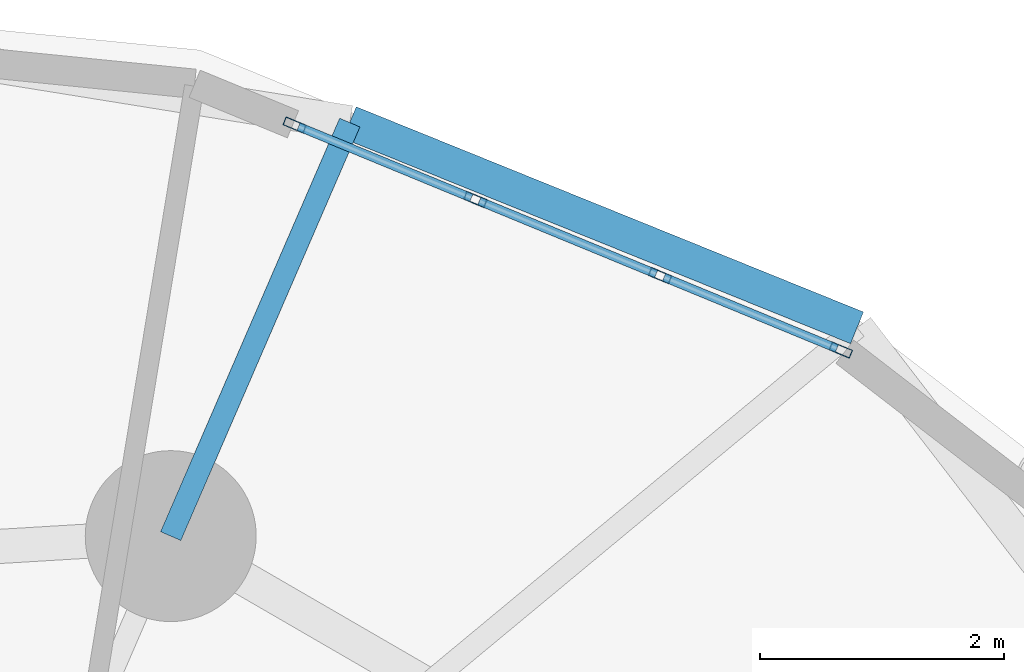
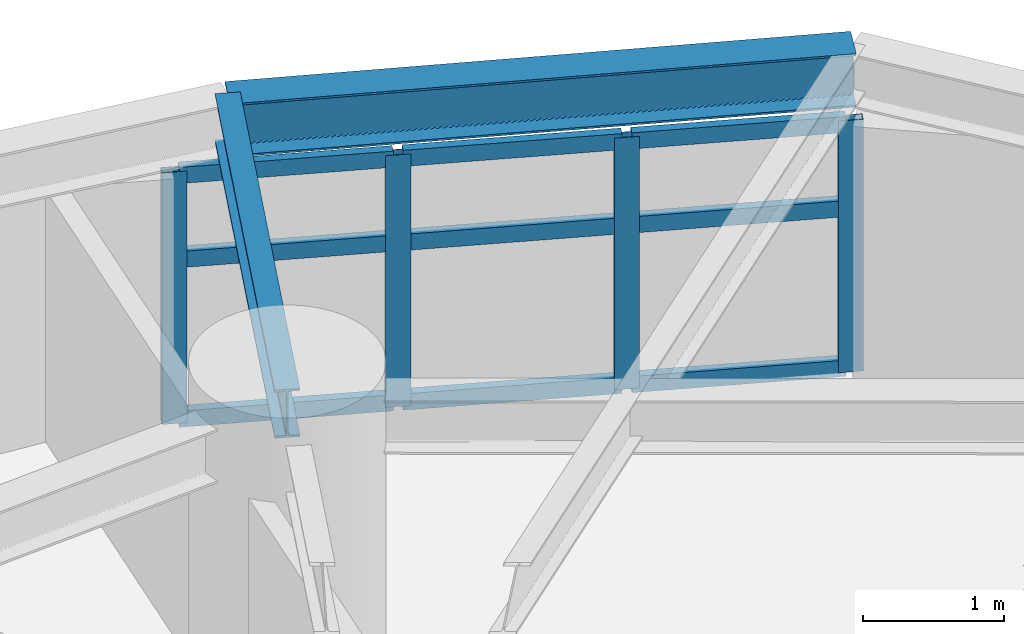
# One storey, part 6 of 17: 13 members, 2 beams, 1 element without a shape of its own.
"""IFC4 building model written with IfcOpenShell, lengths in metres."""

import ifcopenshell
import ifcopenshell.guid

model = None  # the IFC model being written
_history = None  # IfcOwnerHistory: only IFC2X3 demands one
_inside = {}  # id of a spatial element -> (the spatial element, [elements in it])
_under = {}  # id of a project, library or spatial element -> (it, [spatial elements below it])
_declared = {}  # id of a project -> (the project, [libraries it declares])
_typed = {}  # id of a type object -> (the type object, [elements of that type])
_made_of = {}  # id of a material, layer set ... -> (it, [elements and type objects made of it])


def new_model(schema):
    """Start an empty IFC model of exactly this schema.

    Asked for "IFC4X3", IfcOpenShell would pick the latest addendum, in which some entities
    have other attributes; the version numbers below select the first issue.
    IFC2X3 requires an IfcOwnerHistory on every rooted entity: one is made here for all.
    """
    global model, _history
    if schema == "IFC4X3":
        model = ifcopenshell.file(schema_version=(4, 3, 0, 0))
    else:
        model = ifcopenshell.file(schema=schema)
    _inside.clear()
    _under.clear()
    _declared.clear()
    _typed.clear()
    _made_of.clear()
    _history = None
    if model.schema == "IFC2X3":
        org = make("IfcOrganization", Name="unknown")
        user = make(
            "IfcPersonAndOrganization",
            ThePerson=make("IfcPerson", FamilyName="unknown"),
            TheOrganization=org,
        )
        app = make(
            "IfcApplication",
            ApplicationDeveloper=org,
            Version="unknown",
            ApplicationFullName="unknown",
            ApplicationIdentifier="unknown",
        )
        _history = make(
            "IfcOwnerHistory",
            OwningUser=user,
            OwningApplication=app,
            ChangeAction="ADDED",
            CreationDate=0,
        )
    return model


def make(cls, **values):
    """One entity of the class cls with the attributes given. An attribute that is None is left unset."""
    return model.create_entity(
        cls, **{name: value for name, value in values.items() if value is not None}
    )


def rooted(cls, **values):
    """An entity with a GlobalId (a new one), such as an element, a storey or a relation."""
    return make(cls, GlobalId=ifcopenshell.guid.new(), OwnerHistory=_history, **values)


def si_unit(unit_type, name, prefix=None):
    """IfcSIUnit, for example si_unit("LENGTHUNIT", "METRE", prefix="MILLI")."""
    return make("IfcSIUnit", UnitType=unit_type, Prefix=prefix, Name=name)


def assignment(units):
    """IfcUnitAssignment: the units of a project."""
    return None if units is None else make("IfcUnitAssignment", Units=units)


def point(xyz):
    """IfcCartesianPoint."""
    return None if xyz is None else make("IfcCartesianPoint", Coordinates=xyz)


def direction(xyz):
    """IfcDirection."""
    return None if xyz is None else make("IfcDirection", DirectionRatios=xyz)


def frame(location, z_axis=None, x_axis=None):
    """IfcAxis2Placement3D, a coordinate frame: its origin and axes. An axis left out is left unset."""
    return make(
        "IfcAxis2Placement3D",
        Location=point(location),
        Axis=direction(z_axis),
        RefDirection=direction(x_axis),
    )


def frame_2d(location, x_axis=None):
    """IfcAxis2Placement2D, a coordinate frame in the plane: its origin and x axis."""
    return make(
        "IfcAxis2Placement2D", Location=point(location), RefDirection=direction(x_axis)
    )


def origin():
    """The frame at (0, 0, 0) with its axes left unset."""
    return frame((0.0, 0.0, 0.0))


def origin_2d():
    """The frame at (0, 0) in the plane with its x axis left unset."""
    return frame_2d((0.0, 0.0))


def place(relative_to, where):
    """IfcLocalPlacement: puts the frame where relative to a parent placement (None: the world)."""
    return make(
        "IfcLocalPlacement", PlacementRelTo=relative_to, RelativePlacement=where
    )


def context(
    kind, dimensions, precision=None, world=None, true_north=None, identifier=None
):
    """IfcGeometricRepresentationContext, for example the 3D "Model" context."""
    return make(
        "IfcGeometricRepresentationContext",
        ContextIdentifier=identifier,
        ContextType=kind,
        CoordinateSpaceDimension=dimensions,
        Precision=precision,
        WorldCoordinateSystem=world,
        TrueNorth=true_north,
    )


def subcontext(parent, identifier, kind, view, scale=None):
    """IfcGeometricRepresentationSubContext, for example "Body" below "Model"."""
    return make(
        "IfcGeometricRepresentationSubContext",
        ContextIdentifier=identifier,
        ContextType=kind,
        ParentContext=parent,
        TargetScale=scale,
        TargetView=view,
    )


def project(units=None, contexts=None):
    """IfcProject with its units and contexts."""
    return rooted(
        "IfcProject",
        Name="project",
        RepresentationContexts=contexts,
        UnitsInContext=assignment(units),
    )


def spatial(cls, under=None, at=None, **own):
    """A site, building, storey or space (cls), placed at a placement, below another one or the project."""
    s = rooted(cls, ObjectPlacement=at, **own)
    if under is not None:
        _under.setdefault(under.id(), (under, []))[1].append(s)
    return s


def profile(cls, at=None, kind="AREA", **sizes):
    """A parametric profile (cls). Its sizes go by their IFC names, for example OverallWidth=200.0."""
    return make(cls, ProfileType=kind, Position=at, **sizes)


def hollow_rectangle(**sizes):
    """IfcRectangleHollowProfileDef."""
    return profile("IfcRectangleHollowProfileDef", **sizes)


def i_section(**sizes):
    """IfcIShapeProfileDef."""
    return profile("IfcIShapeProfileDef", **sizes)


def extrude(swept, where, along, depth):
    """IfcExtrudedAreaSolid: the profile swept, set in the frame where, extruded along a direction by depth."""
    return make(
        "IfcExtrudedAreaSolid",
        SweptArea=swept,
        Position=where,
        ExtrudedDirection=direction(along),
        Depth=depth,
    )


def shape(context_of_items, identifier, shape_type, items):
    """IfcShapeRepresentation: the items that make up one representation, for example the "Body"."""
    return make(
        "IfcShapeRepresentation",
        ContextOfItems=context_of_items,
        RepresentationIdentifier=identifier,
        RepresentationType=shape_type,
        Items=items,
    )


def material(Name=None, Category=None):
    """IfcMaterial."""
    return make("IfcMaterial", Name=Name, Category=Category)


def layer(
    of_material, thickness, ventilated=None, Name=None, Category=None, Priority=None
):
    """IfcMaterialLayer: one layer of a wall or slab, of a material (None: an air gap)."""
    return make(
        "IfcMaterialLayer",
        Material=of_material,
        LayerThickness=thickness,
        IsVentilated=ventilated,
        Name=Name,
        Category=Category,
        Priority=Priority,
    )


def layer_set(layers, Name=None):
    """IfcMaterialLayerSet."""
    return make("IfcMaterialLayerSet", MaterialLayers=layers, LayerSetName=Name)


def material_profile(
    of_material, cross_section, Name=None, Category=None, Priority=None
):
    """IfcMaterialProfile: a cross section and its material."""
    return make(
        "IfcMaterialProfile",
        Name=Name,
        Material=of_material,
        Profile=cross_section,
        Priority=Priority,
        Category=Category,
    )


def profile_set(profiles, Name=None, composite=None):
    """IfcMaterialProfileSet."""
    return make(
        "IfcMaterialProfileSet",
        Name=Name,
        MaterialProfiles=profiles,
        CompositeProfile=composite,
    )


def made_of(thing, what):
    """Note that an element or type object is made of a material, layer set ...; save() writes the relation."""
    if what is not None:
        _made_of.setdefault(what.id(), (what, []))[1].append(thing)
    return thing


def type_object(cls, material=None, **own):
    """A type object (cls), such as IfcWallType, which elements share."""
    return made_of(rooted(cls, **own), material)


def element(
    cls,
    number,
    at=None,
    inside=None,
    cuts=None,
    type_object=None,
    material=None,
    context=None,
    identifier="Body",
    shape_type=None,
    held_by="IfcProductDefinitionShape",
    body=None,
    shapes=None,
    **own,
):
    """One element of the class cls, such as IfcWall. Its Tag is "e" and its number.

    at: its placement. inside: the storey or other place that contains it. cuts: it is an
    opening in that element (IfcRelVoidsElement). A single representation is given by context,
    identifier, shape_type and body (its items); several are given by shapes. held_by: the class
    of the entity that holds the representations. save() writes the other relations.
    """
    e = rooted(cls, Tag="e%d" % number, ObjectPlacement=at, **own)
    if body is not None:
        shapes = [shape(context, identifier, shape_type, body)]
    if shapes is not None:
        e.Representation = make(held_by, Representations=shapes)
    if inside is not None:
        _inside.setdefault(inside.id(), (inside, []))[1].append(e)
    if cuts is not None:
        rooted(
            "IfcRelVoidsElement", RelatingBuildingElement=cuts, RelatedOpeningElement=e
        )
    if type_object is not None:
        _typed.setdefault(type_object.id(), (type_object, []))[1].append(e)
    return made_of(e, material)


def aggregate(whole, parts):
    """IfcRelAggregates: a whole, such as a stair, and the parts it consists of."""
    return rooted("IfcRelAggregates", RelatingObject=whole, RelatedObjects=parts)


def save(model, path):
    """Write the relations noted so far, then the file.

    IfcRelAggregates (storeys below a building ...), IfcRelContainedInSpatialStructure (elements
    in a storey), IfcRelDefinesByType, IfcRelAssociatesMaterial and IfcRelDeclares: one each for
    every whole, place, type object, material and project.
    """
    for whole, parts in _under.values():
        aggregate(whole, parts)
    for where, things in _inside.values():
        rooted(
            "IfcRelContainedInSpatialStructure",
            RelatedElements=things,
            RelatingStructure=where,
        )
    for kind, things in _typed.values():
        rooted("IfcRelDefinesByType", RelatedObjects=things, RelatingType=kind)
    for what, things in _made_of.values():
        rooted("IfcRelAssociatesMaterial", RelatedObjects=things, RelatingMaterial=what)
    for by, libraries in _declared.values():
        rooted("IfcRelDeclares", RelatingContext=by, RelatedDefinitions=libraries)
    model.write(path)


model = new_model("IFC4")

# Units and contexts
model_context = context("Model", 3, precision=1e-05, world=origin(), true_north=direction((0.0, 1.0)))
body_context = subcontext(model_context, "Body", "Model", "MODEL_VIEW")
ifc_project = project(units=[si_unit("LENGTHUNIT", "METRE"), si_unit("AREAUNIT", "SQUARE_METRE"), si_unit("VOLUMEUNIT", "CUBIC_METRE"), si_unit("PLANEANGLEUNIT", "RADIAN"), si_unit("MASSUNIT", "GRAM", prefix="KILO")], contexts=[model_context])

# Site, building, storey
site_placement = place(None, origin())
site = spatial("IfcSite", under=ifc_project, at=site_placement, CompositionType="ELEMENT")
building_placement = place(site_placement, origin())
building = spatial("IfcBuilding", under=site, at=building_placement, Name="Cununo Teusaquillo Station Towers", CompositionType="ELEMENT")
storey_placement = place(building_placement, frame((0.0, 0.0, 113.800048828125)))
storey = spatial("IfcBuildingStorey", under=building, at=storey_placement, Name="L36", CompositionType="ELEMENT", Elevation=113.800048828125)

# Beams
ifc_material_1 = material(Name="Steel ASTM A572 Grade 50", Category="steel")
ifc_material_profile_1 = material_profile(ifc_material_1, i_section(OverallWidth=0.180908203125, OverallDepth=0.4169921875, WebThickness=0.010986328125, FlangeThickness=0.018310546875, FilletRadius=0.012939453125, at=origin_2d()), Name="W16X57")
ifc_profile_set_1 = profile_set([ifc_material_profile_1], Name="Steel ASTM A572 Grade 50")
beam_type_1 = type_object("IfcBeamType", Name="BM-RAD-G2", PredefinedType="BEAM", material=ifc_profile_set_1)
beam_1_placement = place(storey_placement, frame((58.291015625, 37.63525390625, 2.46142578125), z_axis=(0.397421761279, 0.917636062751, 0.0), x_axis=(-0.917636062751, 0.397421761279, 0.0)))
element("IfcBeam", 1, at=beam_1_placement, inside=storey, type_object=beam_type_1, Name="L36 Tower B Perimeter Overhang Girder 02B", PredefinedType="BEAM", context=body_context, shape_type="SweptSolid", body=[
    extrude(i_section(OverallWidth=0.180908203125, OverallDepth=0.4169921875, WebThickness=0.010986328125, FlangeThickness=0.018310546875, FilletRadius=0.012939453125, at=origin_2d()), origin(), (0.0, 0.0, 1.0), 3.690185546875),
])
ifc_material_2 = material(Name="Steel ASTM A572 Grade 50", Category="steel")
ifc_material_profile_2 = material_profile(ifc_material_2, i_section(OverallWidth=0.280029296875, OverallDepth=0.462890625, WebThickness=0.0107421875, FlangeThickness=0.017333984375, FilletRadius=0.013916015625, at=origin_2d()), Name="W18X76")
ifc_profile_set_2 = profile_set([ifc_material_profile_2], Name="Steel ASTM A572 Grade 50")
beam_type_2 = type_object("IfcBeamType", Name="BM-RING-Z2", PredefinedType="SPANDREL", material=ifc_profile_set_2)
beam_2_placement = place(storey_placement, frame((63.9111328125, 39.341064453125, 2.4384765625), z_axis=(-0.927007712072, 0.375042266631, 0.0), x_axis=(-0.375042266631, -0.927007712072, 0.0)))
element("IfcBeam", 2, at=beam_2_placement, inside=storey, type_object=beam_type_2, Name="L36 Tower B Spandrel Ring Beam 02", PredefinedType="SPANDREL", context=body_context, shape_type="SweptSolid", body=[
    extrude(i_section(OverallWidth=0.280029296875, OverallDepth=0.462890625, WebThickness=0.0107421875, FlangeThickness=0.017333984375, FilletRadius=0.013916015625, at=origin_2d()), origin(), (0.0, 0.0, 1.0), 4.480712890625),
])

# Curtain wall, members
ifc_material_3 = material(Name="Ceramic-fritted dark low-E double glazing", Category="glass")
ifc_layer = layer(ifc_material_3, 0.179931640625)
ifc_layer_set = layer_set([ifc_layer], Name="Ceramic-fritted dark low-E double glazing")
curtain_wall_type = type_object("IfcCurtainWallType", Name="CW-SYS-04", PredefinedType="USERDEFINED", material=ifc_layer_set)
curtain_wall_placement = place(storey_placement, origin())
curtain_wall = element("IfcCurtainWall", 3, at=curtain_wall_placement, inside=storey, type_object=curtain_wall_type, Name="L36 Tower B Facade Curtain Wall C01", ObjectType="FRITTED GLAZING", PredefinedType="USERDEFINED")
ifc_material_4 = material(Name="Anodised dark bronze aluminium EN AW-6063-T6", Category="aluminium")
ifc_material_profile_3 = material_profile(ifc_material_4, hollow_rectangle(XDim=0.070068359375, YDim=0.179931640625, WallThickness=0.00390625, at=origin_2d()), Name="CW-MULL-70x180")
ifc_profile_set_3 = profile_set([ifc_material_profile_3], Name="Anodised dark bronze aluminium EN AW-6063-T6")
member_type_1 = type_object("IfcMemberType", Name="CWM-180", PredefinedType="MULLION", material=ifc_profile_set_3)
member_1_placement = place(storey_placement, frame((59.3056640625, 41.001953125, 0.0), z_axis=(0.0, 0.0, 1.0), x_axis=(0.381030560176, 0.924562443652, 0.0)))
member_1 = element("IfcMember", 4, at=member_1_placement, type_object=member_type_1, Name="CW-04 mullion 1", PredefinedType="MULLION", context=body_context, shape_type="SweptSolid", body=[
    extrude(hollow_rectangle(XDim=0.070068359375, YDim=0.179931640625, WallThickness=0.00390625, at=origin_2d()), origin(), (0.0, 0.0, 1.0), 2.178955078125),
])
member_2_placement = place(storey_placement, frame((60.785888671875, 40.39208984375, 0.0), z_axis=(0.0, 0.0, 1.0), x_axis=(0.381030560176, 0.924562443652, 0.0)))
member_2 = element("IfcMember", 5, at=member_2_placement, type_object=member_type_1, Name="CW-04 mullion 2", PredefinedType="MULLION", context=body_context, shape_type="SweptSolid", body=[
    extrude(hollow_rectangle(XDim=0.070068359375, YDim=0.179931640625, WallThickness=0.00390625, at=origin_2d()), origin(), (0.0, 0.0, 1.0), 2.178955078125),
])
member_3_placement = place(storey_placement, frame((62.298583984375, 39.7685546875, 0.0), z_axis=(0.0, 0.0, 1.0), x_axis=(0.381030560176, 0.924562443652, 0.0)))
member_3 = element("IfcMember", 6, at=member_3_placement, type_object=member_type_1, Name="CW-04 mullion 3", PredefinedType="MULLION", context=body_context, shape_type="SweptSolid", body=[
    extrude(hollow_rectangle(XDim=0.070068359375, YDim=0.179931640625, WallThickness=0.00390625, at=origin_2d()), origin(), (0.0, 0.0, 1.0), 2.178955078125),
])
member_4_placement = place(storey_placement, frame((63.77880859375, 39.158447265625, 0.0), z_axis=(0.0, 0.0, 1.0), x_axis=(0.381030560176, 0.924562443652, 0.0)))
member_4 = element("IfcMember", 7, at=member_4_placement, type_object=member_type_1, Name="CW-04 mullion 4", PredefinedType="MULLION", context=body_context, shape_type="SweptSolid", body=[
    extrude(hollow_rectangle(XDim=0.070068359375, YDim=0.179931640625, WallThickness=0.00390625, at=origin_2d()), origin(), (0.0, 0.0, 1.0), 2.178955078125),
])
ifc_material_5 = material(Name="Anodised dark bronze aluminium EN AW-6063-T6", Category="aluminium")
ifc_material_profile_4 = material_profile(ifc_material_5, hollow_rectangle(XDim=0.070068359375, YDim=0.139892578125, WallThickness=0.00390625, at=origin_2d()), Name="CW-TRAN-70x140")
ifc_profile_set_4 = profile_set([ifc_material_profile_4], Name="Anodised dark bronze aluminium EN AW-6063-T6")
member_type_2 = type_object("IfcMemberType", Name="CWT-140", PredefinedType="USERDEFINED", material=ifc_profile_set_4)
member_5_placement = place(storey_placement, frame((59.337890625, 40.98876953125, 0.034912109375), z_axis=(0.924532726965, -0.381102659097, 0.0), x_axis=(0.381102659097, 0.924532726965, 0.0)))
member_5 = element("IfcMember", 8, at=member_5_placement, type_object=member_type_2, Name="CW-04 transom 1.1", ObjectType="TRANSOM", PredefinedType="USERDEFINED", context=body_context, shape_type="SweptSolid", body=[
    extrude(hollow_rectangle(XDim=0.070068359375, YDim=0.139892578125, WallThickness=0.00390625, at=origin_2d()), origin(), (0.0, 0.0, 1.0), 1.531005859375),
])
member_6_placement = place(storey_placement, frame((59.337890625, 40.98876953125, 1.416015625), z_axis=(0.924532726965, -0.381102659097, 0.0), x_axis=(0.381102659097, 0.924532726965, 0.0)))
member_6 = element("IfcMember", 9, at=member_6_placement, type_object=member_type_2, Name="CW-04 transom 1.2", ObjectType="TRANSOM", PredefinedType="USERDEFINED", context=body_context, shape_type="SweptSolid", body=[
    extrude(hollow_rectangle(XDim=0.070068359375, YDim=0.139892578125, WallThickness=0.00390625, at=origin_2d()), origin(), (0.0, 0.0, 1.0), 1.531005859375),
])
member_7_placement = place(storey_placement, frame((59.337890625, 40.98876953125, 2.14404296875), z_axis=(0.924532726965, -0.381102659097, 0.0), x_axis=(0.381102659097, 0.924532726965, 0.0)))
member_7 = element("IfcMember", 10, at=member_7_placement, type_object=member_type_2, Name="CW-04 transom 1.3", ObjectType="TRANSOM", PredefinedType="USERDEFINED", context=body_context, shape_type="SweptSolid", body=[
    extrude(hollow_rectangle(XDim=0.070068359375, YDim=0.139892578125, WallThickness=0.00390625, at=origin_2d()), origin(), (0.0, 0.0, 1.0), 1.531005859375),
])
member_8_placement = place(storey_placement, frame((60.818115234375, 40.378662109375, 0.034912109375), z_axis=(0.924577983912, -0.380992849887, 0.0), x_axis=(0.380992849887, 0.924577983912, 0.0)))
member_8 = element("IfcMember", 11, at=member_8_placement, type_object=member_type_2, Name="CW-04 transom 2.1", ObjectType="TRANSOM", PredefinedType="USERDEFINED", context=body_context, shape_type="SweptSolid", body=[
    extrude(hollow_rectangle(XDim=0.070068359375, YDim=0.139892578125, WallThickness=0.00390625, at=origin_2d()), origin(), (0.0, 0.0, 1.0), 1.566162109375),
])
member_9_placement = place(storey_placement, frame((60.818115234375, 40.378662109375, 1.416015625), z_axis=(0.924577983912, -0.380992849887, 0.0), x_axis=(0.380992849887, 0.924577983912, 0.0)))
member_9 = element("IfcMember", 12, at=member_9_placement, type_object=member_type_2, Name="CW-04 transom 2.2", ObjectType="TRANSOM", PredefinedType="USERDEFINED", context=body_context, shape_type="SweptSolid", body=[
    extrude(hollow_rectangle(XDim=0.070068359375, YDim=0.139892578125, WallThickness=0.00390625, at=origin_2d()), origin(), (0.0, 0.0, 1.0), 1.566162109375),
])
member_10_placement = place(storey_placement, frame((60.818115234375, 40.378662109375, 2.14404296875), z_axis=(0.924577983912, -0.380992849887, 0.0), x_axis=(0.380992849887, 0.924577983912, 0.0)))
member_10 = element("IfcMember", 13, at=member_10_placement, type_object=member_type_2, Name="CW-04 transom 2.3", ObjectType="TRANSOM", PredefinedType="USERDEFINED", context=body_context, shape_type="SweptSolid", body=[
    extrude(hollow_rectangle(XDim=0.070068359375, YDim=0.139892578125, WallThickness=0.00390625, at=origin_2d()), origin(), (0.0, 0.0, 1.0), 1.566162109375),
])
member_11_placement = place(storey_placement, frame((62.330810546875, 39.75537109375, 0.034912109375), z_axis=(0.924555881283, -0.381046483233, 0.0), x_axis=(0.381046483233, 0.924555881283, 0.0)))
member_11 = element("IfcMember", 14, at=member_11_placement, type_object=member_type_2, Name="CW-04 transom 3.1", ObjectType="TRANSOM", PredefinedType="USERDEFINED", context=body_context, shape_type="SweptSolid", body=[
    extrude(hollow_rectangle(XDim=0.070068359375, YDim=0.139892578125, WallThickness=0.00390625, at=origin_2d()), origin(), (0.0, 0.0, 1.0), 1.53125),
])
member_12_placement = place(storey_placement, frame((62.330810546875, 39.75537109375, 1.416015625), z_axis=(0.924555881283, -0.381046483233, 0.0), x_axis=(0.381046483233, 0.924555881283, 0.0)))
member_12 = element("IfcMember", 15, at=member_12_placement, type_object=member_type_2, Name="CW-04 transom 3.2", ObjectType="TRANSOM", PredefinedType="USERDEFINED", context=body_context, shape_type="SweptSolid", body=[
    extrude(hollow_rectangle(XDim=0.070068359375, YDim=0.139892578125, WallThickness=0.00390625, at=origin_2d()), origin(), (0.0, 0.0, 1.0), 1.53125),
])
member_13_placement = place(storey_placement, frame((62.330810546875, 39.75537109375, 2.14404296875), z_axis=(0.924555881283, -0.381046483233, 0.0), x_axis=(0.381046483233, 0.924555881283, 0.0)))
member_13 = element("IfcMember", 16, at=member_13_placement, type_object=member_type_2, Name="CW-04 transom 3.3", ObjectType="TRANSOM", PredefinedType="USERDEFINED", context=body_context, shape_type="SweptSolid", body=[
    extrude(hollow_rectangle(XDim=0.070068359375, YDim=0.139892578125, WallThickness=0.00390625, at=origin_2d()), origin(), (0.0, 0.0, 1.0), 1.53125),
])
aggregate(curtain_wall, [member_1, member_2, member_3, member_4, member_5, member_6, member_7, member_8, member_9, member_10, member_11, member_12, member_13])

save(model, "model.ifc")
